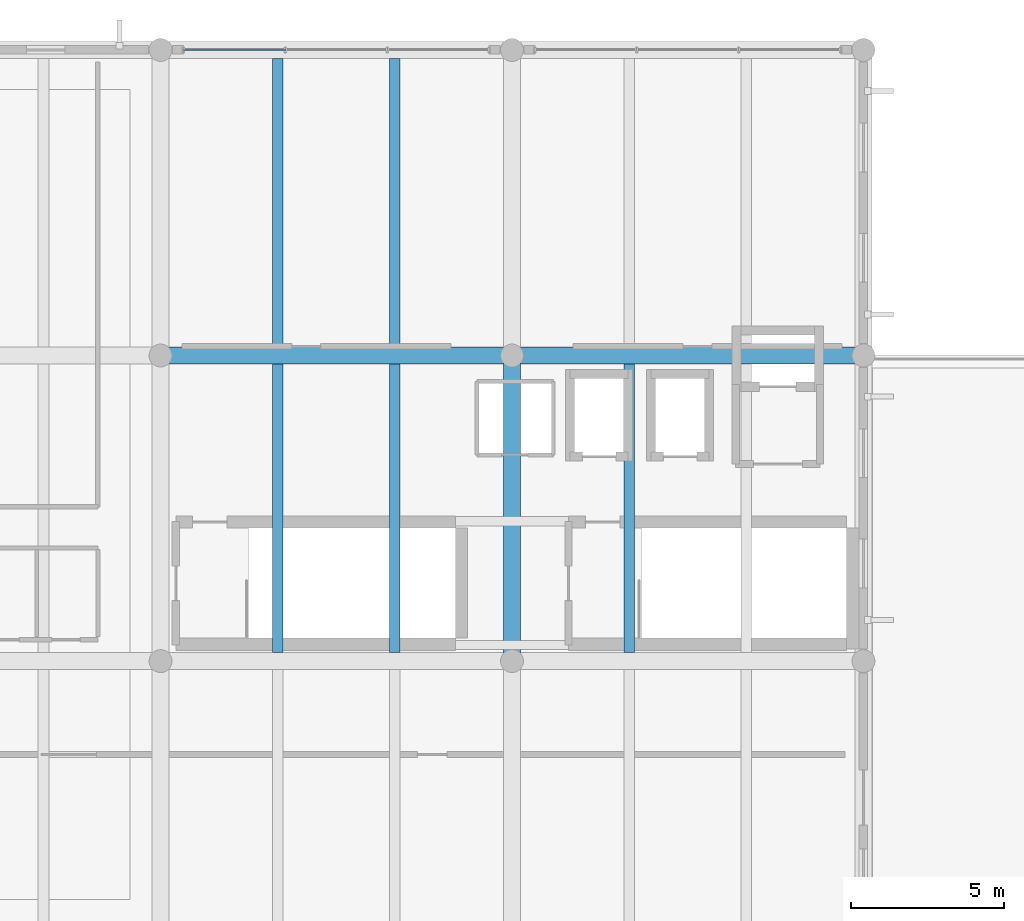
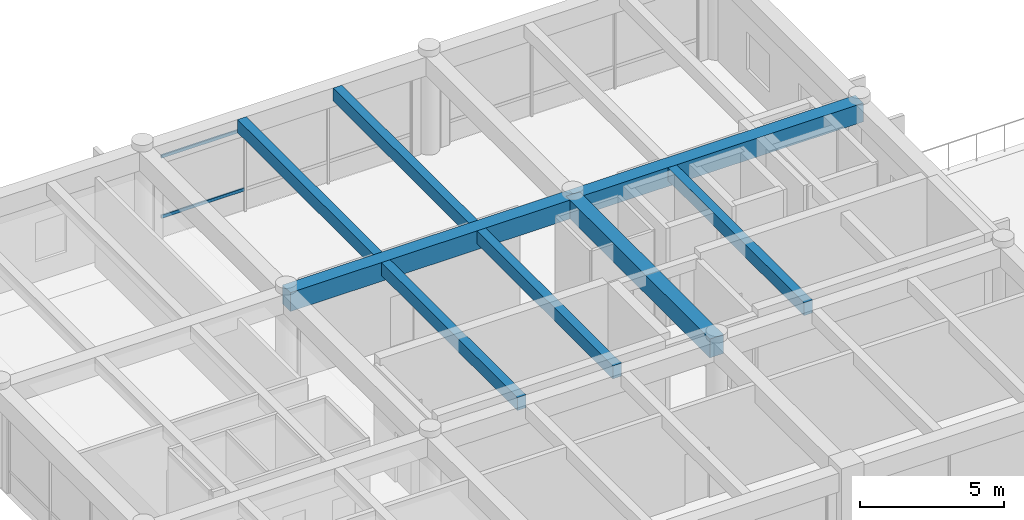
# One storey, part 16 of 27: 8 beams, 2 members, 1 element without a shape of its own.
"""IFC4 building model written with IfcOpenShell, lengths in metres."""

from ifc_helpers import new_model, si_unit, direction, frame, origin, origin_2d, place, context, subcontext, project, spatial, rectangle, hollow_rectangle, extrude, material, material_profile, profile_set, type_object, element, aggregate, save


model = new_model("IFC4")

# Units and contexts
model_context = context("Model", 3, precision=1e-05, world=origin(), true_north=direction((0.0, 1.0)))
body_context = subcontext(model_context, "Body", "Model", "MODEL_VIEW")
ifc_project = project(units=[si_unit("LENGTHUNIT", "METRE"), si_unit("AREAUNIT", "SQUARE_METRE"), si_unit("VOLUMEUNIT", "CUBIC_METRE"), si_unit("PLANEANGLEUNIT", "RADIAN"), si_unit("MASSUNIT", "GRAM", prefix="KILO")], contexts=[model_context])

# Site, building, storey
site_placement = place(None, origin())
site = spatial("IfcSite", under=ifc_project, at=site_placement, CompositionType="ELEMENT")
building_placement = place(site_placement, origin())
building = spatial("IfcBuilding", under=site, at=building_placement, Name="Ologun Quay Terminus", CompositionType="ELEMENT")
storey_placement = place(building_placement, frame((0.0, 0.0, 22.4599609375)))
storey = spatial("IfcBuildingStorey", under=building, at=storey_placement, Name="L05", CompositionType="ELEMENT", Elevation=22.4599609375)

# Beams
ifc_material_1 = material(Name="Concrete C40/50", Category="concrete")
ifc_material_profile_1 = material_profile(ifc_material_1, rectangle(XDim=0.550048828125, YDim=0.800048828125, at=origin_2d()), Name="RC 550x800")
ifc_profile_set_1 = profile_set([ifc_material_profile_1], Name="Concrete C40/50")
beam_type_1 = type_object("IfcBeamType", Name="Courtyard Wing Primary Girder 550x800", PredefinedType="BEAM", material=ifc_profile_set_1)
for number, where, z_axis, x_axis, name in (
    (1, (126.5, 104.800048828125, 3.760009765625), (1.0, 0.0, 0.0), (0.0, 1.0, 0.0), "B4 Beam 12/J L05"),
    (2, (138.0, 104.800048828125, 3.760009765625), (1.0, 0.0, 0.0), (0.0, 1.0, 0.0), "B4 Beam 13/J L05"),
):
    element("IfcBeam", number, at=place(storey_placement, frame(where, z_axis=z_axis, x_axis=x_axis)), inside=storey, type_object=beam_type_1, Name=name, PredefinedType="BEAM", context=body_context, shape_type="SweptSolid", body=[
        extrude(rectangle(XDim=0.550048828125, YDim=0.800048828125, at=origin_2d()), origin(), (0.0, 0.0, 1.0), 11.5),
    ])
beam_placement = place(storey_placement, frame((138.0, 94.800048828125, 3.760009765625), z_axis=(0.0, 1.0, 0.0), x_axis=(-1.0, 0.0, 0.0)))
element("IfcBeam", 3, at=beam_placement, inside=storey, type_object=beam_type_1, Name="B4 Beam 13/H L05", PredefinedType="BEAM", context=body_context, shape_type="SweptSolid", body=[
    extrude(rectangle(XDim=0.550048828125, YDim=0.800048828125, at=origin_2d()), origin(), (0.0, 0.0, 1.0), 10.0),
])
ifc_material_2 = material(Name="Concrete C40/50", Category="concrete")
ifc_material_profile_2 = material_profile(ifc_material_2, rectangle(XDim=0.35009765625, YDim=0.550048828125, at=origin_2d()), Name="RC 350x550")
ifc_profile_set_2 = profile_set([ifc_material_profile_2], Name="Concrete C40/50")
beam_type_2 = type_object("IfcBeamType", Name="Courtyard Wing Secondary Joist 350x550", PredefinedType="JOIST", material=ifc_profile_set_2)
for number, where, z_axis, x_axis, name in (
    (4, (130.333251953125, 95.074951171875, 3.885009765625), (0.0, 1.0, 0.0), (-1.0, 0.0, 0.0), "J2 Beam 12/H L05"),
    (5, (134.166748046875, 95.074951171875, 3.885009765625), (0.0, 1.0, 0.0), (-1.0, 0.0, 0.0), "J2 Beam 12/H L05"),
    (6, (130.333251953125, 105.074951171875, 3.885009765625), (0.0, 1.0, 0.0), (-1.0, 0.0, 0.0), "J2 Beam 12/J L05"),
    (7, (134.166748046875, 105.074951171875, 3.885009765625), (0.0, 1.0, 0.0), (-1.0, 0.0, 0.0), "J2 Beam 12/J L05"),
    (8, (141.833251953125, 95.074951171875, 3.885009765625), (0.0, 1.0, 0.0), (-1.0, 0.0, 0.0), "J2 Beam 13/H L05"),
):
    element("IfcBeam", number, at=place(storey_placement, frame(where, z_axis=z_axis, x_axis=x_axis)), inside=storey, type_object=beam_type_2, Name=name, PredefinedType="JOIST", context=body_context, shape_type="SweptSolid", body=[
        extrude(rectangle(XDim=0.35009765625, YDim=0.550048828125, at=origin_2d()), origin(), (0.0, 0.0, 1.0), 9.449951171875),
    ])

# Curtain wall, members
ifc_material_3 = material(Name="Aluminium 6063-T6", Category="aluminium")
curtain_wall_type = type_object("IfcCurtainWallType", Name="Operations Wing Canteen Curtain Wall L05 10600x4050", PredefinedType="USERDEFINED", material=ifc_material_3)
curtain_wall_placement = place(storey_placement, origin())
curtain_wall = element("IfcCurtainWall", 9, at=curtain_wall_placement, inside=storey, type_object=curtain_wall_type, Name="CW-28 Curtain Wall CW-L05-154", ObjectType="UNITISED CURTAIN WALL", PredefinedType="USERDEFINED")
ifc_material_4 = material(Name="Aluminium 6063-T6", Category="aluminium")
ifc_material_profile_3 = material_profile(ifc_material_4, hollow_rectangle(XDim=0.06005859375, YDim=0.1298828125, WallThickness=0.00390625, at=origin_2d()), Name="ALU 130x60x4")
ifc_profile_set_3 = profile_set([ifc_material_profile_3], Name="Aluminium 6063-T6")
member_type = type_object("IfcMemberType", Name="Curtain Wall Heavy Transom 130x60", PredefinedType="USERDEFINED", material=ifc_profile_set_3)
member_1_placement = place(storey_placement, frame((127.2451171875, 114.800048828125, 0.900146484375), z_axis=(1.0, 0.0, 0.0), x_axis=(0.0, 1.0, 0.0)))
member_1 = element("IfcMember", 10, at=member_1_placement, type_object=member_type, Name="CW-L05-154 Transom B1-1", ObjectType="TRANSOM", PredefinedType="USERDEFINED", context=body_context, shape_type="SweptSolid", body=[
    extrude(hollow_rectangle(XDim=0.06005859375, YDim=0.1298828125, WallThickness=0.00390625, at=origin_2d()), origin(), (0.0, 0.0, 1.0), 3.336669921875),
])
member_2_placement = place(storey_placement, frame((127.2451171875, 114.800048828125, 3.449951171875), z_axis=(1.0, 0.0, 0.0), x_axis=(0.0, 1.0, 0.0)))
member_2 = element("IfcMember", 11, at=member_2_placement, type_object=member_type, Name="CW-L05-154 Transom B1-2", ObjectType="TRANSOM", PredefinedType="USERDEFINED", context=body_context, shape_type="SweptSolid", body=[
    extrude(hollow_rectangle(XDim=0.06005859375, YDim=0.1298828125, WallThickness=0.00390625, at=origin_2d()), origin(), (0.0, 0.0, 1.0), 3.336669921875),
])
aggregate(curtain_wall, [member_1, member_2])

save(model, "model.ifc")
